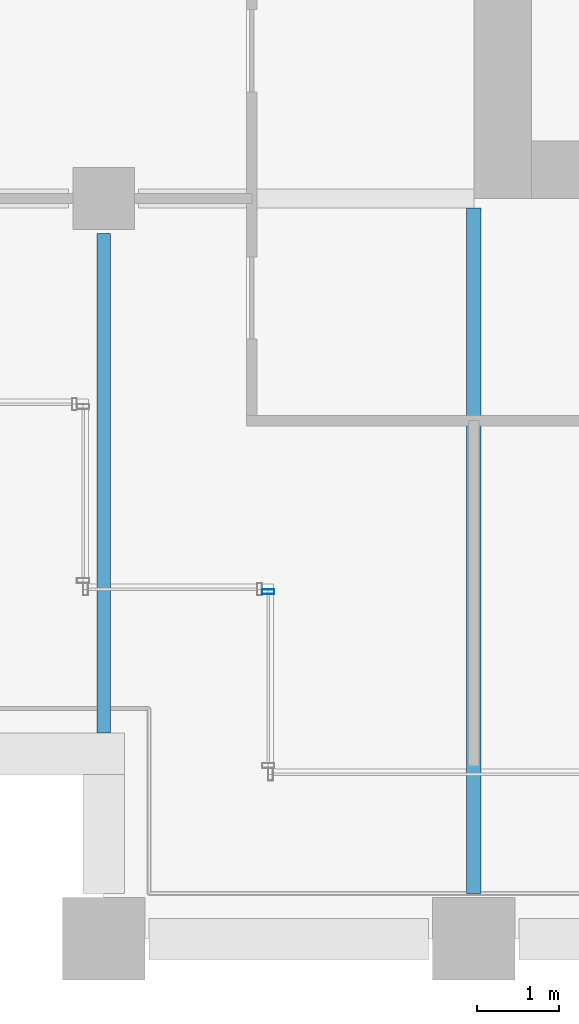
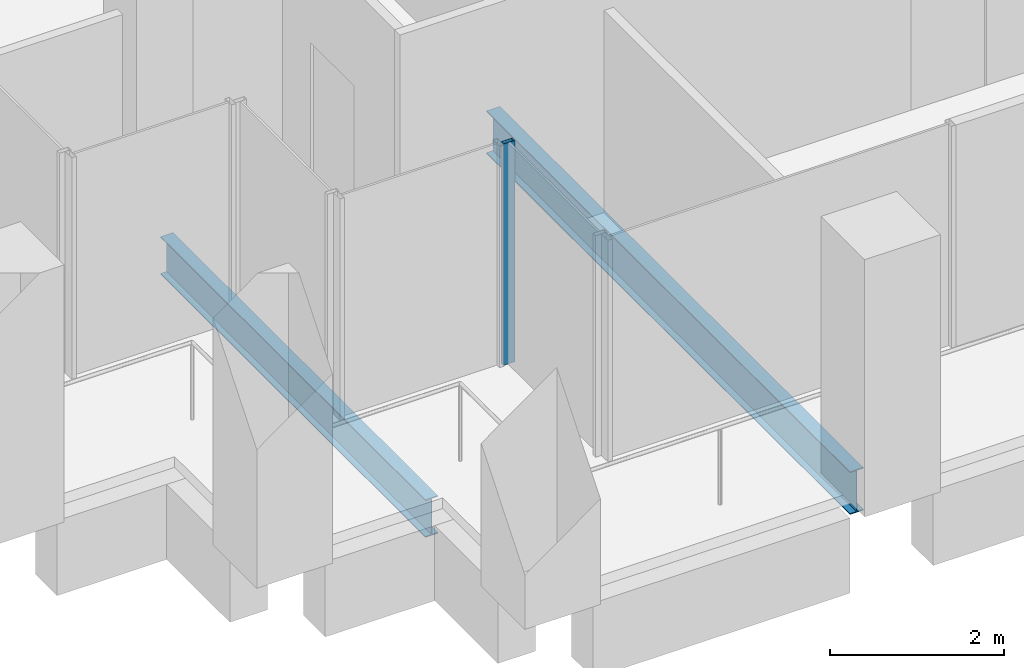
# One storey, part 31 of 52: 2 beams, 1 member, 1 element without a shape of its own.
"""IFC4 building model written with IfcOpenShell, lengths in metres."""

from ifc_helpers import new_model, si_unit, direction, frame, origin, origin_2d, place, context, subcontext, project, spatial, hollow_rectangle, i_section, extrude, material, material_profile, profile_set, type_object, element, aggregate, save


model = new_model("IFC4")

# Units and contexts
model_context = context("Model", 3, precision=1e-05, world=origin(), true_north=direction((0.0, 1.0)))
body_context = subcontext(model_context, "Body", "Model", "MODEL_VIEW")
ifc_project = project(units=[si_unit("LENGTHUNIT", "METRE"), si_unit("AREAUNIT", "SQUARE_METRE"), si_unit("VOLUMEUNIT", "CUBIC_METRE"), si_unit("PLANEANGLEUNIT", "RADIAN"), si_unit("MASSUNIT", "GRAM", prefix="KILO")], contexts=[model_context])

# Site, building, storey
site_placement = place(None, origin())
site = spatial("IfcSite", under=ifc_project, at=site_placement, CompositionType="ELEMENT")
building_placement = place(site_placement, origin())
building = spatial("IfcBuilding", under=site, at=building_placement, Name="Altepetl Exchange Towers", CompositionType="ELEMENT")
storey_placement = place(building_placement, frame((0.0, 0.0, 92.0)))
storey = spatial("IfcBuildingStorey", under=building, at=storey_placement, Name="L22", CompositionType="ELEMENT", Elevation=92.0)

# Beams
ifc_material_1 = material(Name="Steel S355", Category="steel")
ifc_material_profile_1 = material_profile(ifc_material_1, i_section(OverallWidth=0.166015625, OverallDepth=0.529052734375, WebThickness=0.009765625, FlangeThickness=0.013671875, at=origin_2d()), Name="W21X50")
ifc_profile_set_1 = profile_set([ifc_material_profile_1], Name="Steel S355")
beam_type_1 = type_object("IfcBeamType", Name="Floor beam W21X50", PredefinedType="BEAM", material=ifc_profile_set_1)
beam_1_placement = place(storey_placement, frame((99.0, 29.5, -0.41455078125), z_axis=(0.0, 1.0, 0.0), x_axis=(-1.0, 0.0, 0.0)))
element("IfcBeam", 1, at=beam_1_placement, inside=storey, type_object=beam_type_1, Name="bm:B:L22:004", PredefinedType="BEAM", context=body_context, shape_type="SweptSolid", body=[
    extrude(i_section(OverallWidth=0.166015625, OverallDepth=0.529052734375, WebThickness=0.009765625, FlangeThickness=0.013671875, at=origin_2d()), origin(), (0.0, 0.0, 1.0), 6.074951171875),
])
ifc_material_profile_2 = material_profile(ifc_material_1, i_section(OverallWidth=0.177978515625, OverallDepth=0.59912109375, WebThickness=0.010009765625, FlangeThickness=0.0126953125, at=origin_2d()), Name="W24X55")
ifc_profile_set_2 = profile_set([ifc_material_profile_2], Name="Steel S355")
beam_type_2 = type_object("IfcBeamType", Name="Floor beam W24X55", PredefinedType="BEAM", material=ifc_profile_set_2)
beam_2_placement = place(storey_placement, frame((103.5, 27.550048828125, -0.449462890625), z_axis=(0.0, 1.0, 0.0), x_axis=(-1.0, 0.0, 0.0)))
element("IfcBeam", 2, at=beam_2_placement, inside=storey, type_object=beam_type_2, Name="bm:B:L22:005", PredefinedType="BEAM", context=body_context, shape_type="SweptSolid", body=[
    extrude(i_section(OverallWidth=0.177978515625, OverallDepth=0.59912109375, WebThickness=0.010009765625, FlangeThickness=0.0126953125, at=origin_2d()), origin(), (0.0, 0.0, 1.0), 8.3359375),
])

# Curtain wall, member
ifc_material_2 = material(Name="Aluminium 6063-T6 glazing", Category="aluminium")
curtain_wall_type = type_object("IfcCurtainWallType", Name="Loggia glazing system", PredefinedType="NOTDEFINED", material=ifc_material_2)
curtain_wall_placement = place(storey_placement, origin())
curtain_wall = element("IfcCurtainWall", 3, at=curtain_wall_placement, inside=storey, type_object=curtain_wall_type, Name="CW1 run", PredefinedType="NOTDEFINED")
ifc_material_3 = material(Name="Aluminium 6063-T6", Category="aluminium")
ifc_material_profile_3 = material_profile(ifc_material_3, hollow_rectangle(XDim=0.06005859375, YDim=0.14990234375, WallThickness=0.0029296875, at=origin_2d()), Name="Mullion 60x150 aluminium")
ifc_profile_set_3 = profile_set([ifc_material_profile_3], Name="Aluminium 6063-T6")
member_type = type_object("IfcMemberType", Name="Mullion 60x150 aluminium", PredefinedType="MULLION", material=ifc_profile_set_3)
member_placement = place(storey_placement, frame((101.0, 31.219970703125, 0.0), z_axis=(0.0, 0.0, 1.0), x_axis=(0.0, -1.0, 0.0)))
member = element("IfcMember", 4, at=member_placement, type_object=member_type, Name="MU1 mullion", PredefinedType="MULLION", context=body_context, shape_type="SweptSolid", body=[
    extrude(hollow_rectangle(XDim=0.06005859375, YDim=0.14990234375, WallThickness=0.0029296875, at=origin_2d()), origin(), (0.0, 0.0, 1.0), 3.10009765625),
])
aggregate(curtain_wall, [member])

save(model, "model.ifc")
